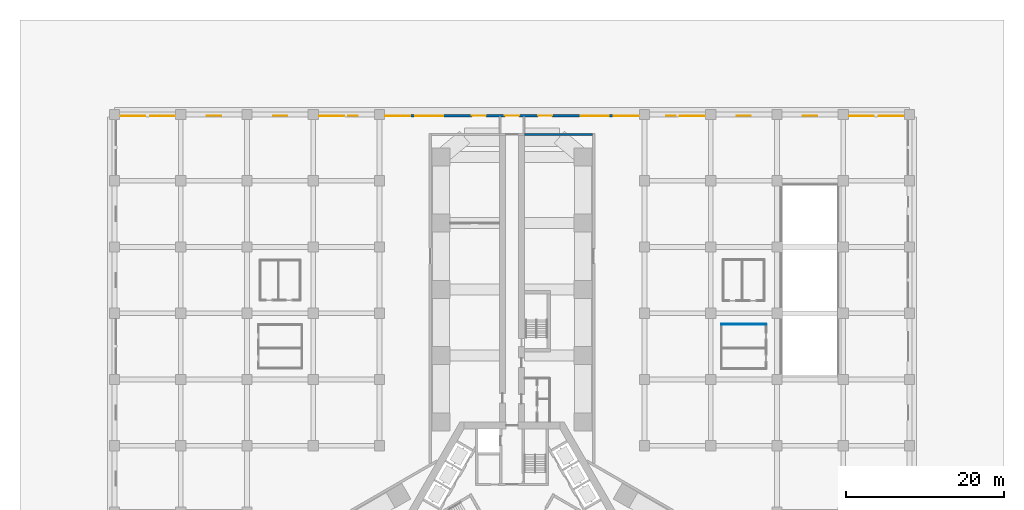
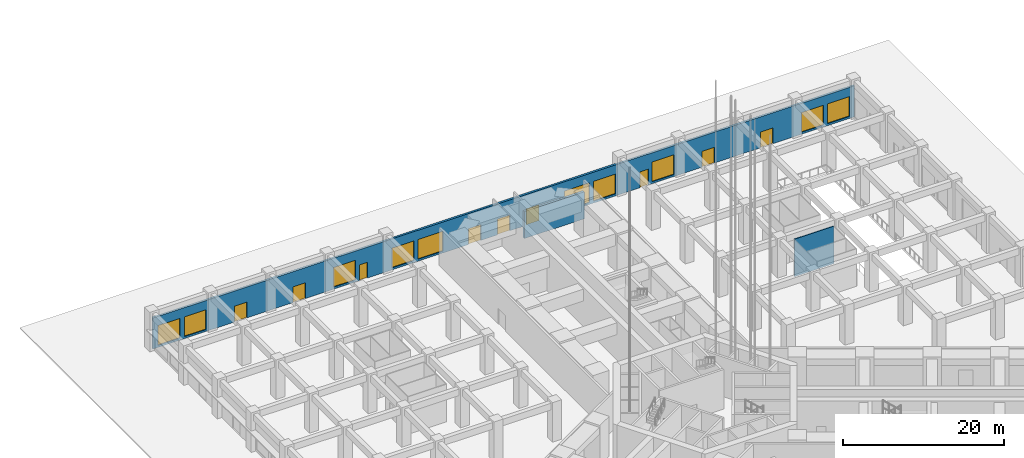
# One storey, part 14 of 33: 10 windows, 9 doors, 3 walls, 19 openings.
"""IFC4 building model written with IfcOpenShell, lengths in metres."""

from ifc_helpers import new_model, si_unit, direction, frame, frame_2d, origin, place, context, subcontext, project, spatial, rectangle, extrude, material, layer, layer_set, type_object, element, fill, save


model = new_model("IFC4")

# Units and contexts
model_context = context("Model", 3, precision=1e-05, world=origin(), true_north=direction((0.0, 1.0)))
body_context = subcontext(model_context, "Body", "Model", "MODEL_VIEW")
ifc_project = project(units=[si_unit("LENGTHUNIT", "METRE"), si_unit("AREAUNIT", "SQUARE_METRE"), si_unit("VOLUMEUNIT", "CUBIC_METRE"), si_unit("PLANEANGLEUNIT", "RADIAN"), si_unit("MASSUNIT", "GRAM", prefix="KILO")], contexts=[model_context])

# Site, building, storey
site_placement = place(None, origin())
site = spatial("IfcSite", under=ifc_project, at=site_placement, CompositionType="ELEMENT")
building_placement = place(site_placement, origin())
building = spatial("IfcBuilding", under=site, at=building_placement, Name="Impinga Residences", CompositionType="ELEMENT")
storey_placement = place(building_placement, origin())
storey = spatial("IfcBuildingStorey", under=building, at=storey_placement, Name="L00", CompositionType="ELEMENT", Elevation=0.0)

# Wall, openings, doors, windows
ifc_material_1 = material(Name="Stone facing on blockwork", Category="masonry")
ifc_layer_1 = layer(ifc_material_1, 0.300048828125)
ifc_layer_set_1 = layer_set([ifc_layer_1], Name="EW2 external wall, stone facing on blockwork 300")
wall_type_1 = type_object("IfcWallType", Name="EW2 external wall, stone facing on blockwork 300", PredefinedType="SOLIDWALL", material=ifc_layer_set_1)
wall_1_placement = place(storey_placement, frame((-50.39990234375, 50.25, 0.0), z_axis=(0.0, 0.0, 1.0), x_axis=(1.0, 0.0, 0.0)))
wall_1 = element("IfcWall", 1, at=wall_1_placement, inside=storey, type_object=wall_type_1, Name="External wall EW2 L00", PredefinedType="SOLIDWALL", context=body_context, shape_type="SweptSolid", body=[
    extrude(rectangle(XDim=100.7998046875, YDim=0.300048828125, at=frame_2d((50.39990234375, 0.0))), origin(), (0.0, 0.0, 1.0), 4.699951171875),
])
opening_1_placement = place(wall_1_placement, frame((11.699951171875, 0.0, 0.0)))
opening_1 = element("IfcOpeningElement", 2, at=opening_1_placement, cuts=wall_1, Name="Opening ED6", PredefinedType="OPENING", context=body_context, shape_type="SweptSolid", body=[
    extrude(rectangle(XDim=1.800048828125, YDim=2.39990234375, at=frame_2d((0.89990234375, 1.199951171875))), frame((0.0, 0.159912109375, 0.0), z_axis=(0.0, -1.0, 0.0), x_axis=(1.0, 0.0, 0.0)), (0.0, 0.0, 1.0), 0.320068359375),
])
opening_2_placement = place(wall_1_placement, frame((20.10009765625, 0.0, 0.0)))
opening_2 = element("IfcOpeningElement", 3, at=opening_2_placement, cuts=wall_1, Name="Opening ED6", PredefinedType="OPENING", context=body_context, shape_type="SweptSolid", body=[
    extrude(rectangle(XDim=1.800048828125, YDim=2.39990234375, at=frame_2d((0.89990234375, 1.199951171875))), frame((0.0, 0.159912109375, 0.0), z_axis=(0.0, -1.0, 0.0), x_axis=(1.0, 0.0, 0.0)), (0.0, 0.0, 1.0), 0.320068359375),
])
opening_3_placement = place(wall_1_placement, frame((29.639892578125, 0.0, 0.0)))
opening_3 = element("IfcOpeningElement", 4, at=opening_3_placement, cuts=wall_1, Name="Opening ED2", PredefinedType="OPENING", context=body_context, shape_type="SweptSolid", body=[
    extrude(rectangle(XDim=1.199951171875, YDim=2.39990234375, at=frame_2d((0.60009765625, 1.199951171875))), frame((0.0, 0.159912109375, 0.0), z_axis=(0.0, -1.0, 0.0), x_axis=(1.0, 0.0, 0.0)), (0.0, 0.0, 1.0), 0.320068359375),
])
opening_4_placement = place(wall_1_placement, frame((45.300048828125, 0.0, 0.0)))
opening_4 = element("IfcOpeningElement", 5, at=opening_4_placement, cuts=wall_1, Name="Opening ED6", PredefinedType="OPENING", context=body_context, shape_type="SweptSolid", body=[
    extrude(rectangle(XDim=1.800048828125, YDim=2.39990234375, at=frame_2d((0.89990234375, 1.199951171875))), frame((0.0, 0.159912109375, 0.0), z_axis=(0.0, -1.0, 0.0), x_axis=(1.0, 0.0, 0.0)), (0.0, 0.0, 1.0), 0.320068359375),
])
opening_5_placement = place(wall_1_placement, frame((49.5, 0.0, 0.0)))
opening_5 = element("IfcOpeningElement", 6, at=opening_5_placement, cuts=wall_1, Name="Opening ED6", PredefinedType="OPENING", context=body_context, shape_type="SweptSolid", body=[
    extrude(rectangle(XDim=1.800048828125, YDim=2.39990234375, at=frame_2d((0.89990234375, 1.199951171875))), frame((0.0, 0.159912109375, 0.0), z_axis=(0.0, -1.0, 0.0), x_axis=(1.0, 0.0, 0.0)), (0.0, 0.0, 1.0), 0.320068359375),
])
opening_6_placement = place(wall_1_placement, frame((53.699951171875, 0.0, 0.0)))
opening_6 = element("IfcOpeningElement", 7, at=opening_6_placement, cuts=wall_1, Name="Opening ED6", PredefinedType="OPENING", context=body_context, shape_type="SweptSolid", body=[
    extrude(rectangle(XDim=1.800048828125, YDim=2.39990234375, at=frame_2d((0.89990234375, 1.199951171875))), frame((0.0, 0.159912109375, 0.0), z_axis=(0.0, -1.0, 0.0), x_axis=(1.0, 0.0, 0.0)), (0.0, 0.0, 1.0), 0.320068359375),
])
opening_7_placement = place(wall_1_placement, frame((69.9599609375, 0.0, 0.0)))
opening_7 = element("IfcOpeningElement", 8, at=opening_7_placement, cuts=wall_1, Name="Opening ED2", PredefinedType="OPENING", context=body_context, shape_type="SweptSolid", body=[
    extrude(rectangle(XDim=1.199951171875, YDim=2.39990234375, at=frame_2d((0.60009765625, 1.199951171875))), frame((0.0, 0.159912109375, 0.0), z_axis=(0.0, -1.0, 0.0), x_axis=(1.0, 0.0, 0.0)), (0.0, 0.0, 1.0), 0.320068359375),
])
opening_8_placement = place(wall_1_placement, frame((78.89990234375, 0.0, 0.0)))
opening_8 = element("IfcOpeningElement", 9, at=opening_8_placement, cuts=wall_1, Name="Opening ED6", PredefinedType="OPENING", context=body_context, shape_type="SweptSolid", body=[
    extrude(rectangle(XDim=1.800048828125, YDim=2.39990234375, at=frame_2d((0.89990234375, 1.199951171875))), frame((0.0, 0.159912109375, 0.0), z_axis=(0.0, -1.0, 0.0), x_axis=(1.0, 0.0, 0.0)), (0.0, 0.0, 1.0), 0.320068359375),
])
opening_9_placement = place(wall_1_placement, frame((87.300048828125, 0.0, 0.0)))
opening_9 = element("IfcOpeningElement", 10, at=opening_9_placement, cuts=wall_1, Name="Opening ED6", PredefinedType="OPENING", context=body_context, shape_type="SweptSolid", body=[
    extrude(rectangle(XDim=1.800048828125, YDim=2.39990234375, at=frame_2d((0.89990234375, 1.199951171875))), frame((0.0, 0.159912109375, 0.0), z_axis=(0.0, -1.0, 0.0), x_axis=(1.0, 0.0, 0.0)), (0.0, 0.0, 1.0), 0.320068359375),
])
opening_10_placement = place(wall_1_placement, frame((0.75, 0.0, 0.300048828125)))
opening_10 = element("IfcOpeningElement", 11, at=opening_10_placement, cuts=wall_1, Name="Opening SH1", PredefinedType="OPENING", context=body_context, shape_type="SweptSolid", body=[
    extrude(rectangle(XDim=3.14990234375, YDim=3.0, at=frame_2d((1.574951171875, 1.5))), frame((0.0, 0.159912109375, 0.0), z_axis=(0.0, -1.0, 0.0), x_axis=(1.0, 0.0, 0.0)), (0.0, 0.0, 1.0), 0.320068359375),
])
opening_11_placement = place(wall_1_placement, frame((4.5, 0.0, 0.300048828125)))
opening_11 = element("IfcOpeningElement", 12, at=opening_11_placement, cuts=wall_1, Name="Opening SH1", PredefinedType="OPENING", context=body_context, shape_type="SweptSolid", body=[
    extrude(rectangle(XDim=3.14990234375, YDim=3.0, at=frame_2d((1.574951171875, 1.5))), frame((0.0, 0.159912109375, 0.0), z_axis=(0.0, -1.0, 0.0), x_axis=(1.0, 0.0, 0.0)), (0.0, 0.0, 1.0), 0.320068359375),
])
opening_12_placement = place(wall_1_placement, frame((25.949951171875, 0.0, 0.300048828125)))
opening_12 = element("IfcOpeningElement", 13, at=opening_12_placement, cuts=wall_1, Name="Opening SH1", PredefinedType="OPENING", context=body_context, shape_type="SweptSolid", body=[
    extrude(rectangle(XDim=3.14990234375, YDim=3.0, at=frame_2d((1.574951171875, 1.5))), frame((0.0, 0.159912109375, 0.0), z_axis=(0.0, -1.0, 0.0), x_axis=(1.0, 0.0, 0.0)), (0.0, 0.0, 1.0), 0.320068359375),
])
opening_13_placement = place(wall_1_placement, frame((34.35009765625, 0.0, 0.300048828125)))
opening_13 = element("IfcOpeningElement", 14, at=opening_13_placement, cuts=wall_1, Name="Opening SH1", PredefinedType="OPENING", context=body_context, shape_type="SweptSolid", body=[
    extrude(rectangle(XDim=3.14990234375, YDim=3.0, at=frame_2d((1.574951171875, 1.5))), frame((0.0, 0.159912109375, 0.0), z_axis=(0.0, -1.0, 0.0), x_axis=(1.0, 0.0, 0.0)), (0.0, 0.0, 1.0), 0.320068359375),
])
opening_14_placement = place(wall_1_placement, frame((38.10009765625, 0.0, 0.300048828125)))
opening_14 = element("IfcOpeningElement", 15, at=opening_14_placement, cuts=wall_1, Name="Opening SH2", PredefinedType="OPENING", context=body_context, shape_type="SweptSolid", body=[
    extrude(rectangle(XDim=3.60009765625, YDim=3.0, at=frame_2d((1.800048828125, 1.5))), frame((0.0, 0.159912109375, 0.0), z_axis=(0.0, -1.0, 0.0), x_axis=(1.0, 0.0, 0.0)), (0.0, 0.0, 1.0), 0.320068359375),
])
opening_15_placement = place(wall_1_placement, frame((59.10009765625, 0.0, 0.300048828125)))
opening_15 = element("IfcOpeningElement", 16, at=opening_15_placement, cuts=wall_1, Name="Opening SH2", PredefinedType="OPENING", context=body_context, shape_type="SweptSolid", body=[
    extrude(rectangle(XDim=3.60009765625, YDim=3.0, at=frame_2d((1.800048828125, 1.5))), frame((0.0, 0.159912109375, 0.0), z_axis=(0.0, -1.0, 0.0), x_axis=(1.0, 0.0, 0.0)), (0.0, 0.0, 1.0), 0.320068359375),
])
opening_16_placement = place(wall_1_placement, frame((63.300048828125, 0.0, 0.300048828125)))
opening_16 = element("IfcOpeningElement", 17, at=opening_16_placement, cuts=wall_1, Name="Opening SH1", PredefinedType="OPENING", context=body_context, shape_type="SweptSolid", body=[
    extrude(rectangle(XDim=3.14990234375, YDim=3.0, at=frame_2d((1.574951171875, 1.5))), frame((0.0, 0.159912109375, 0.0), z_axis=(0.0, -1.0, 0.0), x_axis=(1.0, 0.0, 0.0)), (0.0, 0.0, 1.0), 0.320068359375),
])
opening_17_placement = place(wall_1_placement, frame((71.699951171875, 0.0, 0.300048828125)))
opening_17 = element("IfcOpeningElement", 18, at=opening_17_placement, cuts=wall_1, Name="Opening SH1", PredefinedType="OPENING", context=body_context, shape_type="SweptSolid", body=[
    extrude(rectangle(XDim=3.14990234375, YDim=3.0, at=frame_2d((1.574951171875, 1.5))), frame((0.0, 0.159912109375, 0.0), z_axis=(0.0, -1.0, 0.0), x_axis=(1.0, 0.0, 0.0)), (0.0, 0.0, 1.0), 0.320068359375),
])
opening_18_placement = place(wall_1_placement, frame((93.14990234375, 0.0, 0.300048828125)))
opening_18 = element("IfcOpeningElement", 19, at=opening_18_placement, cuts=wall_1, Name="Opening SH1", PredefinedType="OPENING", context=body_context, shape_type="SweptSolid", body=[
    extrude(rectangle(XDim=3.14990234375, YDim=3.0, at=frame_2d((1.574951171875, 1.5))), frame((0.0, 0.159912109375, 0.0), z_axis=(0.0, -1.0, 0.0), x_axis=(1.0, 0.0, 0.0)), (0.0, 0.0, 1.0), 0.320068359375),
])
opening_19_placement = place(wall_1_placement, frame((96.89990234375, 0.0, 0.300048828125)))
opening_19 = element("IfcOpeningElement", 20, at=opening_19_placement, cuts=wall_1, Name="Opening SH1", PredefinedType="OPENING", context=body_context, shape_type="SweptSolid", body=[
    extrude(rectangle(XDim=3.14990234375, YDim=3.0, at=frame_2d((1.574951171875, 1.5))), frame((0.0, 0.159912109375, 0.0), z_axis=(0.0, -1.0, 0.0), x_axis=(1.0, 0.0, 0.0)), (0.0, 0.0, 1.0), 0.320068359375),
])
ifc_material_2 = material(Name="Steel door, painted", Category="steel")
door_type_1 = type_object("IfcDoorType", Name="ED2 external exit door 1200x2400", OperationType="SINGLE_SWING_LEFT", PredefinedType="DOOR", material=ifc_material_2)
door_1_placement = place(opening_3_placement, origin())
door_1 = element("IfcDoor", 21, at=door_1_placement, inside=storey, type_object=door_type_1, Name="Exit door L00", OperationType="SINGLE_SWING_LEFT", OverallHeight=2.39990234375, OverallWidth=1.199951171875, PredefinedType="DOOR", context=body_context, shape_type="SweptSolid", body=[
    extrude(rectangle(XDim=1.199951171875, YDim=2.39990234375, at=frame_2d((0.60009765625, 1.199951171875))), frame((0.0, 0.02490234375, 0.0), z_axis=(0.0, -1.0, 0.0), x_axis=(1.0, 0.0, 0.0)), (0.0, 0.0, 1.0), 0.050048828125),
])
fill(opening_3, door_1)
door_2_placement = place(opening_7_placement, origin())
door_2 = element("IfcDoor", 22, at=door_2_placement, inside=storey, type_object=door_type_1, Name="Exit door L00", OperationType="SINGLE_SWING_RIGHT", OverallHeight=2.39990234375, OverallWidth=1.199951171875, PredefinedType="DOOR", context=body_context, shape_type="SweptSolid", body=[
    extrude(rectangle(XDim=1.199951171875, YDim=2.39990234375, at=frame_2d((0.60009765625, 1.199951171875))), frame((0.0, 0.02490234375, 0.0), z_axis=(0.0, -1.0, 0.0), x_axis=(1.0, 0.0, 0.0)), (0.0, 0.0, 1.0), 0.050048828125),
])
fill(opening_7, door_2)
door_type_2 = type_object("IfcDoorType", Name="ED6 external exit door pair 1800x2400", OperationType="DOUBLE_DOOR_DOUBLE_SWING", PredefinedType="DOOR", material=ifc_material_2)
door_3_placement = place(opening_1_placement, origin())
door_3 = element("IfcDoor", 23, at=door_3_placement, inside=storey, type_object=door_type_2, Name="Exit doors L00", OperationType="DOUBLE_DOOR_DOUBLE_SWING", OverallHeight=2.39990234375, OverallWidth=1.800048828125, PredefinedType="DOOR", context=body_context, shape_type="SweptSolid", body=[
    extrude(rectangle(XDim=1.800048828125, YDim=2.39990234375, at=frame_2d((0.89990234375, 1.199951171875))), frame((0.0, 0.02490234375, 0.0), z_axis=(0.0, -1.0, 0.0), x_axis=(1.0, 0.0, 0.0)), (0.0, 0.0, 1.0), 0.050048828125),
])
fill(opening_1, door_3)
door_4_placement = place(opening_2_placement, origin())
door_4 = element("IfcDoor", 24, at=door_4_placement, inside=storey, type_object=door_type_2, Name="Exit doors L00", OperationType="DOUBLE_DOOR_DOUBLE_SWING", OverallHeight=2.39990234375, OverallWidth=1.800048828125, PredefinedType="DOOR", context=body_context, shape_type="SweptSolid", body=[
    extrude(rectangle(XDim=1.800048828125, YDim=2.39990234375, at=frame_2d((0.89990234375, 1.199951171875))), frame((0.0, 0.02490234375, 0.0), z_axis=(0.0, -1.0, 0.0), x_axis=(1.0, 0.0, 0.0)), (0.0, 0.0, 1.0), 0.050048828125),
])
fill(opening_2, door_4)
door_5_placement = place(opening_4_placement, origin())
door_5 = element("IfcDoor", 25, at=door_5_placement, inside=storey, type_object=door_type_2, Name="Exit doors L00", OperationType="DOUBLE_DOOR_DOUBLE_SWING", OverallHeight=2.39990234375, OverallWidth=1.800048828125, PredefinedType="DOOR", context=body_context, shape_type="SweptSolid", body=[
    extrude(rectangle(XDim=1.800048828125, YDim=2.39990234375, at=frame_2d((0.89990234375, 1.199951171875))), frame((0.0, 0.02490234375, 0.0), z_axis=(0.0, -1.0, 0.0), x_axis=(1.0, 0.0, 0.0)), (0.0, 0.0, 1.0), 0.050048828125),
])
fill(opening_4, door_5)
door_6_placement = place(opening_5_placement, origin())
door_6 = element("IfcDoor", 26, at=door_6_placement, inside=storey, type_object=door_type_2, Name="Final exit doors N L00", OperationType="DOUBLE_DOOR_DOUBLE_SWING", OverallHeight=2.39990234375, OverallWidth=1.800048828125, PredefinedType="DOOR", context=body_context, shape_type="SweptSolid", body=[
    extrude(rectangle(XDim=1.800048828125, YDim=2.39990234375, at=frame_2d((0.89990234375, 1.199951171875))), frame((0.0, 0.02490234375, 0.0), z_axis=(0.0, -1.0, 0.0), x_axis=(1.0, 0.0, 0.0)), (0.0, 0.0, 1.0), 0.050048828125),
])
fill(opening_5, door_6)
door_7_placement = place(opening_6_placement, origin())
door_7 = element("IfcDoor", 27, at=door_7_placement, inside=storey, type_object=door_type_2, Name="Exit doors L00", OperationType="DOUBLE_DOOR_DOUBLE_SWING", OverallHeight=2.39990234375, OverallWidth=1.800048828125, PredefinedType="DOOR", context=body_context, shape_type="SweptSolid", body=[
    extrude(rectangle(XDim=1.800048828125, YDim=2.39990234375, at=frame_2d((0.89990234375, 1.199951171875))), frame((0.0, 0.02490234375, 0.0), z_axis=(0.0, -1.0, 0.0), x_axis=(1.0, 0.0, 0.0)), (0.0, 0.0, 1.0), 0.050048828125),
])
fill(opening_6, door_7)
door_8_placement = place(opening_8_placement, origin())
door_8 = element("IfcDoor", 28, at=door_8_placement, inside=storey, type_object=door_type_2, Name="Exit doors L00", OperationType="DOUBLE_DOOR_DOUBLE_SWING", OverallHeight=2.39990234375, OverallWidth=1.800048828125, PredefinedType="DOOR", context=body_context, shape_type="SweptSolid", body=[
    extrude(rectangle(XDim=1.800048828125, YDim=2.39990234375, at=frame_2d((0.89990234375, 1.199951171875))), frame((0.0, 0.02490234375, 0.0), z_axis=(0.0, -1.0, 0.0), x_axis=(1.0, 0.0, 0.0)), (0.0, 0.0, 1.0), 0.050048828125),
])
fill(opening_8, door_8)
door_9_placement = place(opening_9_placement, origin())
door_9 = element("IfcDoor", 29, at=door_9_placement, inside=storey, type_object=door_type_2, Name="Exit doors L00", OperationType="DOUBLE_DOOR_DOUBLE_SWING", OverallHeight=2.39990234375, OverallWidth=1.800048828125, PredefinedType="DOOR", context=body_context, shape_type="SweptSolid", body=[
    extrude(rectangle(XDim=1.800048828125, YDim=2.39990234375, at=frame_2d((0.89990234375, 1.199951171875))), frame((0.0, 0.02490234375, 0.0), z_axis=(0.0, -1.0, 0.0), x_axis=(1.0, 0.0, 0.0)), (0.0, 0.0, 1.0), 0.050048828125),
])
fill(opening_9, door_9)
ifc_material_3 = material(Name="Aluminium window, clear double glazing", Category="aluminium")
window_type_1 = type_object("IfcWindowType", Name="SH1 shopfront window 3150x3000", PartitioningType="SINGLE_PANEL", PredefinedType="WINDOW", material=ifc_material_3)
window_1_placement = place(opening_10_placement, origin())
window_1 = element("IfcWindow", 30, at=window_1_placement, inside=storey, type_object=window_type_1, Name="Window L00", OverallHeight=3.0, OverallWidth=3.14990234375, PartitioningType="SINGLE_PANEL", PredefinedType="WINDOW", context=body_context, shape_type="SweptSolid", body=[
    extrude(rectangle(XDim=3.14990234375, YDim=3.0, at=frame_2d((1.574951171875, 1.5))), frame((0.0, 0.030029296875, 0.0), z_axis=(0.0, -1.0, 0.0), x_axis=(1.0, 0.0, 0.0)), (0.0, 0.0, 1.0), 0.06005859375),
])
fill(opening_10, window_1)
window_2_placement = place(opening_11_placement, origin())
window_2 = element("IfcWindow", 31, at=window_2_placement, inside=storey, type_object=window_type_1, Name="Window L00", OverallHeight=3.0, OverallWidth=3.14990234375, PartitioningType="SINGLE_PANEL", PredefinedType="WINDOW", context=body_context, shape_type="SweptSolid", body=[
    extrude(rectangle(XDim=3.14990234375, YDim=3.0, at=frame_2d((1.574951171875, 1.5))), frame((0.0, 0.030029296875, 0.0), z_axis=(0.0, -1.0, 0.0), x_axis=(1.0, 0.0, 0.0)), (0.0, 0.0, 1.0), 0.06005859375),
])
fill(opening_11, window_2)
window_3_placement = place(opening_12_placement, origin())
window_3 = element("IfcWindow", 32, at=window_3_placement, inside=storey, type_object=window_type_1, Name="Window L00", OverallHeight=3.0, OverallWidth=3.14990234375, PartitioningType="SINGLE_PANEL", PredefinedType="WINDOW", context=body_context, shape_type="SweptSolid", body=[
    extrude(rectangle(XDim=3.14990234375, YDim=3.0, at=frame_2d((1.574951171875, 1.5))), frame((0.0, 0.030029296875, 0.0), z_axis=(0.0, -1.0, 0.0), x_axis=(1.0, 0.0, 0.0)), (0.0, 0.0, 1.0), 0.06005859375),
])
fill(opening_12, window_3)
window_4_placement = place(opening_13_placement, origin())
window_4 = element("IfcWindow", 33, at=window_4_placement, inside=storey, type_object=window_type_1, Name="Window L00", OverallHeight=3.0, OverallWidth=3.14990234375, PartitioningType="SINGLE_PANEL", PredefinedType="WINDOW", context=body_context, shape_type="SweptSolid", body=[
    extrude(rectangle(XDim=3.14990234375, YDim=3.0, at=frame_2d((1.574951171875, 1.5))), frame((0.0, 0.030029296875, 0.0), z_axis=(0.0, -1.0, 0.0), x_axis=(1.0, 0.0, 0.0)), (0.0, 0.0, 1.0), 0.06005859375),
])
fill(opening_13, window_4)
window_5_placement = place(opening_16_placement, origin())
window_5 = element("IfcWindow", 34, at=window_5_placement, inside=storey, type_object=window_type_1, Name="Window L00", OverallHeight=3.0, OverallWidth=3.14990234375, PartitioningType="SINGLE_PANEL", PredefinedType="WINDOW", context=body_context, shape_type="SweptSolid", body=[
    extrude(rectangle(XDim=3.14990234375, YDim=3.0, at=frame_2d((1.574951171875, 1.5))), frame((0.0, 0.030029296875, 0.0), z_axis=(0.0, -1.0, 0.0), x_axis=(1.0, 0.0, 0.0)), (0.0, 0.0, 1.0), 0.06005859375),
])
fill(opening_16, window_5)
window_6_placement = place(opening_17_placement, origin())
window_6 = element("IfcWindow", 35, at=window_6_placement, inside=storey, type_object=window_type_1, Name="Window L00", OverallHeight=3.0, OverallWidth=3.14990234375, PartitioningType="SINGLE_PANEL", PredefinedType="WINDOW", context=body_context, shape_type="SweptSolid", body=[
    extrude(rectangle(XDim=3.14990234375, YDim=3.0, at=frame_2d((1.574951171875, 1.5))), frame((0.0, 0.030029296875, 0.0), z_axis=(0.0, -1.0, 0.0), x_axis=(1.0, 0.0, 0.0)), (0.0, 0.0, 1.0), 0.06005859375),
])
fill(opening_17, window_6)
window_7_placement = place(opening_18_placement, origin())
window_7 = element("IfcWindow", 36, at=window_7_placement, inside=storey, type_object=window_type_1, Name="Window L00", OverallHeight=3.0, OverallWidth=3.14990234375, PartitioningType="SINGLE_PANEL", PredefinedType="WINDOW", context=body_context, shape_type="SweptSolid", body=[
    extrude(rectangle(XDim=3.14990234375, YDim=3.0, at=frame_2d((1.574951171875, 1.5))), frame((0.0, 0.030029296875, 0.0), z_axis=(0.0, -1.0, 0.0), x_axis=(1.0, 0.0, 0.0)), (0.0, 0.0, 1.0), 0.06005859375),
])
fill(opening_18, window_7)
window_8_placement = place(opening_19_placement, origin())
window_8 = element("IfcWindow", 37, at=window_8_placement, inside=storey, type_object=window_type_1, Name="Window L00", OverallHeight=3.0, OverallWidth=3.14990234375, PartitioningType="SINGLE_PANEL", PredefinedType="WINDOW", context=body_context, shape_type="SweptSolid", body=[
    extrude(rectangle(XDim=3.14990234375, YDim=3.0, at=frame_2d((1.574951171875, 1.5))), frame((0.0, 0.030029296875, 0.0), z_axis=(0.0, -1.0, 0.0), x_axis=(1.0, 0.0, 0.0)), (0.0, 0.0, 1.0), 0.06005859375),
])
fill(opening_19, window_8)
window_type_2 = type_object("IfcWindowType", Name="SH2 shopfront window 3600x3000", PartitioningType="SINGLE_PANEL", PredefinedType="WINDOW", material=ifc_material_3)
window_9_placement = place(opening_14_placement, origin())
window_9 = element("IfcWindow", 38, at=window_9_placement, inside=storey, type_object=window_type_2, Name="Window L00", OverallHeight=3.0, OverallWidth=3.60009765625, PartitioningType="SINGLE_PANEL", PredefinedType="WINDOW", context=body_context, shape_type="SweptSolid", body=[
    extrude(rectangle(XDim=3.60009765625, YDim=3.0, at=frame_2d((1.800048828125, 1.5))), frame((0.0, 0.030029296875, 0.0), z_axis=(0.0, -1.0, 0.0), x_axis=(1.0, 0.0, 0.0)), (0.0, 0.0, 1.0), 0.06005859375),
])
fill(opening_14, window_9)
window_10_placement = place(opening_15_placement, origin())
window_10 = element("IfcWindow", 39, at=window_10_placement, inside=storey, type_object=window_type_2, Name="Window L00", OverallHeight=3.0, OverallWidth=3.60009765625, PartitioningType="SINGLE_PANEL", PredefinedType="WINDOW", context=body_context, shape_type="SweptSolid", body=[
    extrude(rectangle(XDim=3.60009765625, YDim=3.0, at=frame_2d((1.800048828125, 1.5))), frame((0.0, 0.030029296875, 0.0), z_axis=(0.0, -1.0, 0.0), x_axis=(1.0, 0.0, 0.0)), (0.0, 0.0, 1.0), 0.06005859375),
])
fill(opening_15, window_10)

# Walls
ifc_material_4 = material(Name="Gypsum board on steel studs", Category="steel")
ifc_layer_2 = layer(ifc_material_4, 0.10009765625)
ifc_layer_set_2 = layer_set([ifc_layer_2], Name="Gypsum board on steel studs")
wall_type_2 = type_object("IfcWallType", Name="IP1 partition 100", PredefinedType="PARTITIONING", material=ifc_layer_set_2)
wall_2_placement = place(storey_placement, frame((32.22998046875, 23.830078125, 0.0), z_axis=(0.0, 0.0, 1.0), x_axis=(-1.0, 0.0, 0.0)))
element("IfcWall", 40, at=wall_2_placement, inside=storey, type_object=wall_type_2, Name="Partition L00:REG:NE:BLKN", PredefinedType="PARTITIONING", context=body_context, shape_type="SweptSolid", body=[
    extrude(rectangle(XDim=5.659912109375, YDim=0.10009765625, at=frame_2d((2.830078125, 0.0))), origin(), (0.0, 0.0, 1.0), 5.699951171875),
])
ifc_material_5 = material(Name="Concrete blockwork", Category="masonry")
ifc_layer_3 = layer(ifc_material_5, 0.300048828125)
ifc_layer_set_3 = layer_set([ifc_layer_3], Name="PW3 podium wall on the wing face 300")
wall_type_3 = type_object("IfcWallType", Name="PW3 podium wall on the wing face 300", PredefinedType="SOLIDWALL", material=ifc_layer_set_3)
wall_3_placement = place(storey_placement, frame((1.60009765625, 47.881591796875, 0.0), z_axis=(0.0, 0.0, 1.0), x_axis=(1.0, 0.0, 0.0)))
element("IfcWall", 41, at=wall_3_placement, inside=storey, type_object=wall_type_3, Name="Podium wall on the wing face L00:END:NF", PredefinedType="SOLIDWALL", context=body_context, shape_type="SweptSolid", body=[
    extrude(rectangle(XDim=8.599853515625, YDim=0.300048828125, at=frame_2d((4.2998046875, 0.0))), origin(), (0.0, 0.0, 1.0), 4.10009765625),
])

save(model, "model.ifc")
